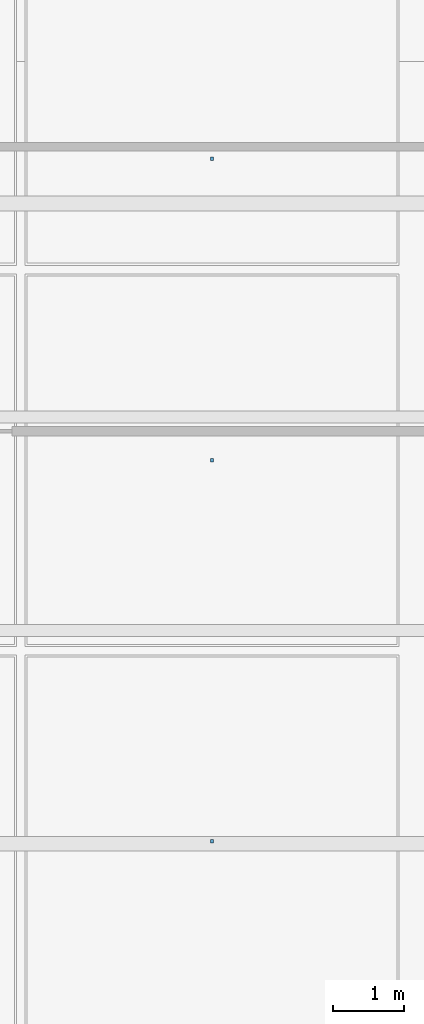
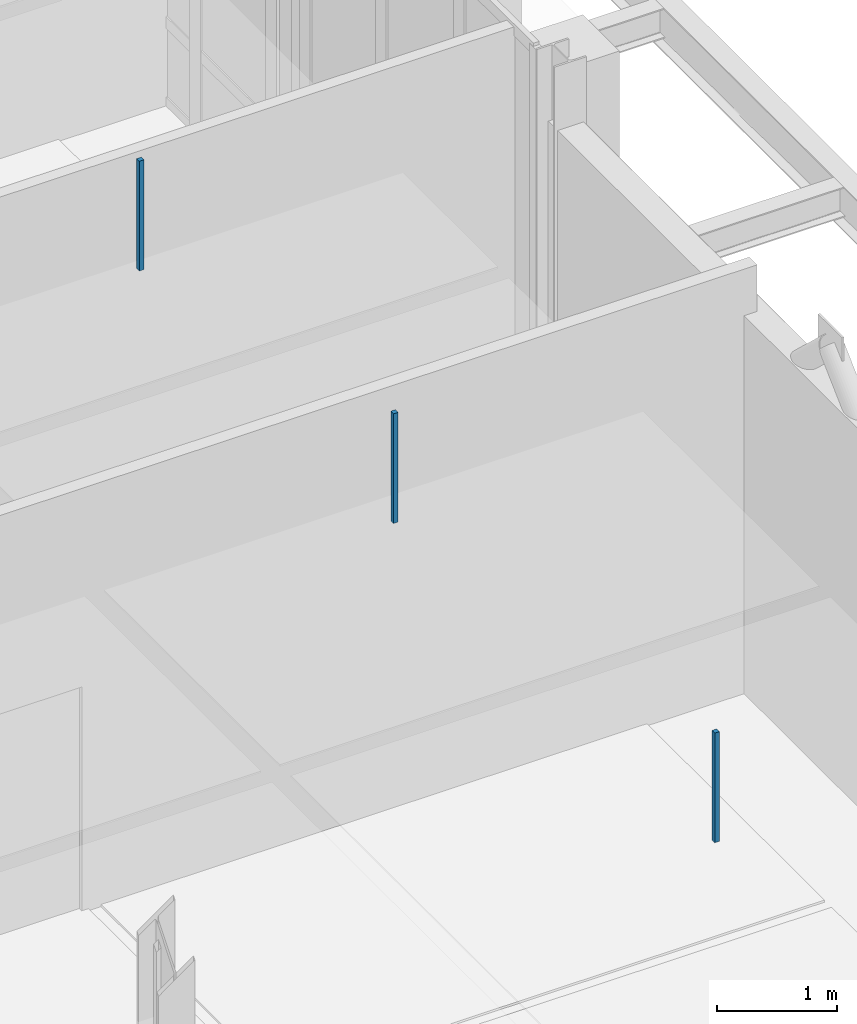
# One storey, part 124 of 140: 3 discrete accessories.
"""IFC4 building model written with IfcOpenShell, lengths in metres."""

from ifc_helpers import new_model, si_unit, direction, frame, origin, origin_2d, place, context, subcontext, project, spatial, rectangle, extrude, material, type_object, element, save


model = new_model("IFC4")

# Units and contexts
model_context = context("Model", 3, precision=1e-05, world=origin(), true_north=direction((0.0, 1.0)))
body_context = subcontext(model_context, "Body", "Model", "MODEL_VIEW")
ifc_project = project(units=[si_unit("LENGTHUNIT", "METRE"), si_unit("AREAUNIT", "SQUARE_METRE"), si_unit("VOLUMEUNIT", "CUBIC_METRE"), si_unit("PLANEANGLEUNIT", "RADIAN"), si_unit("MASSUNIT", "GRAM", prefix="KILO"), si_unit("THERMODYNAMICTEMPERATUREUNIT", "KELVIN"), si_unit("POWERUNIT", "WATT")], contexts=[model_context])

# Site, building, storey
site_placement = place(None, origin())
site = spatial("IfcSite", under=ifc_project, at=site_placement, CompositionType="ELEMENT")
building_placement = place(site_placement, origin())
building = spatial("IfcBuilding", under=site, at=building_placement, Name="Tallowbark Science Centre", CompositionType="ELEMENT")
storey_placement = place(building_placement, frame((0.0, 0.0, 9.89990234375)))
storey = spatial("IfcBuildingStorey", under=building, at=storey_placement, Name="L02", CompositionType="ELEMENT", Elevation=9.89990234375)

# Discrete accessories
ifc_material = material(Name="Galvanised Steel Grade C350L0 (350 MPa)", Category="steel")
discrete_accessory_type = type_object("IfcDiscreteAccessoryType", Name="ACC-CLG-HNG", PredefinedType="BRACKET", material=ifc_material)
for number, where, z_axis, x_axis, name in (
    (1, (153.8125, 81.03564453125, 3.2060546875), (0.0, 0.0, 1.0), (1.0, 0.0, 0.0), "Ceiling Hanger Bracket L02-940"),
    (2, (153.8125, 86.392822265625, 3.2060546875), (0.0, 0.0, 1.0), (1.0, 0.0, 0.0), "Ceiling Hanger Bracket L02-941"),
    (3, (153.8125, 90.630615234375, 3.2060546875), (0.0, 0.0, 1.0), (1.0, 0.0, 0.0), "Ceiling Hanger Bracket L02-942"),
):
    element("IfcDiscreteAccessory", number, at=place(storey_placement, frame(where, z_axis=z_axis, x_axis=x_axis)), inside=storey, type_object=discrete_accessory_type, Name=name, PredefinedType="BRACKET", context=body_context, shape_type="SweptSolid", body=[
        extrude(rectangle(XDim=0.044921875, YDim=0.044921875, at=origin_2d()), origin(), (0.0, 0.0, 1.0), 1.116943359375),
    ])

save(model, "model.ifc")
